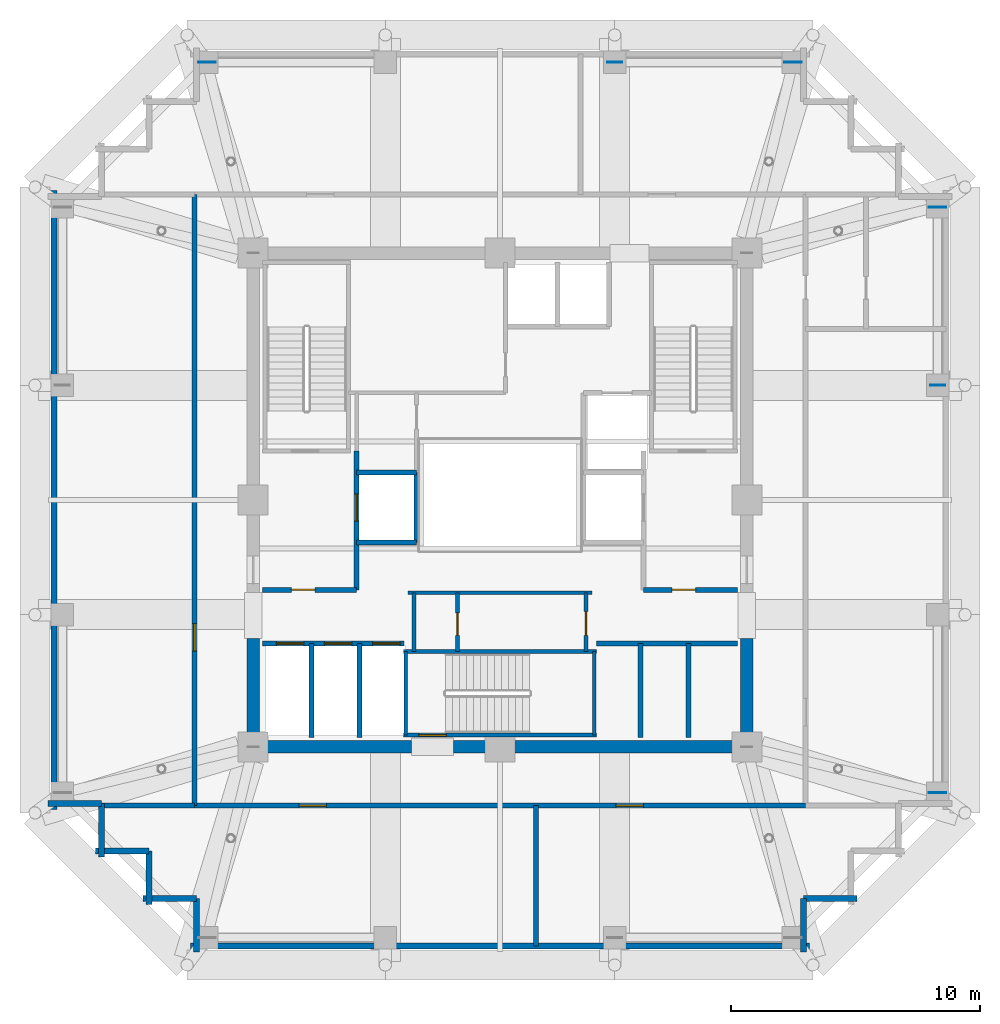
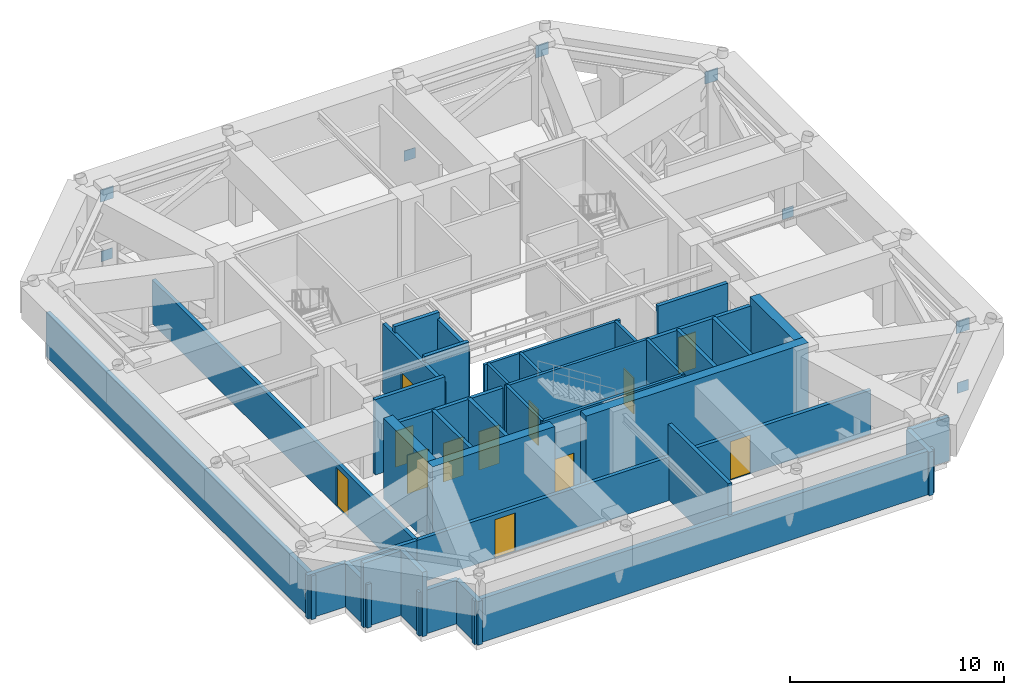
# One storey, part 9 of 12: 38 walls, 12 doors, 8 plates, 12 openings.
"""IFC4 building model written with IfcOpenShell, lengths in metres."""

from ifc_helpers import new_model, si_unit, direction, frame, frame_2d, origin, origin_2d, place, context, subcontext, project, spatial, rectangle, extrude, material, layer, layer_set, type_object, element, fill, save


model = new_model("IFC4")

# Units and contexts
model_context = context("Model", 3, precision=1e-05, world=origin(), true_north=direction((0.0, 1.0)))
body_context = subcontext(model_context, "Body", "Model", "MODEL_VIEW")
ifc_project = project(units=[si_unit("LENGTHUNIT", "METRE"), si_unit("AREAUNIT", "SQUARE_METRE"), si_unit("VOLUMEUNIT", "CUBIC_METRE"), si_unit("PLANEANGLEUNIT", "RADIAN"), si_unit("MASSUNIT", "GRAM", prefix="KILO")], contexts=[model_context])

# Site, building, storey
site_placement = place(None, origin())
site = spatial("IfcSite", under=ifc_project, at=site_placement, CompositionType="ELEMENT")
building_placement = place(site_placement, origin())
building = spatial("IfcBuilding", under=site, at=building_placement, Name="Kolvaren Belvedere", CompositionType="ELEMENT")
storey_placement = place(building_placement, frame((0.0, 0.0, 148.10009765625)))
storey = spatial("IfcBuildingStorey", under=building, at=storey_placement, Name="L43", CompositionType="ELEMENT", Elevation=148.10009765625)

# Plates
ifc_material_1 = material(Name="Structural steel ASTM A572 Grade 50", Category="steel")
ifc_layer_1 = layer(ifc_material_1, 0.031982421875)
ifc_layer_set_1 = layer_set([ifc_layer_1], Name="Structural steel ASTM A572 Grade 50")
plate_type_1 = type_object("IfcPlateType", Name="PL-GUSSET-32", PredefinedType="USERDEFINED", material=ifc_layer_set_1)
for number, where, z_axis, x_axis, name in (
    (1, (-11.75, 17.550048828125, 0.179931640625), (0.0, 0.0, 1.0), (1.0, 0.0, 0.0), "L43 Belt Truss Node Gusset BN-3"),
    (2, (4.60009765625, 17.550048828125, 0.179931640625), (0.0, 0.0, 1.0), (1.0, 0.0, 0.0), "L43 Belt Truss Node Gusset BN-4"),
    (3, (17.550048828125, -11.75, 0.179931640625), (0.0, 0.0, 1.0), (1.0, 0.0, 0.0), "L43 Belt Truss Node Gusset BN-7"),
    (4, (17.550048828125, 4.60009765625, 0.179931640625), (0.0, 0.0, 1.0), (1.0, 0.0, 0.0), "L43 Belt Truss Node Gusset BN-8"),
):
    element("IfcPlate", number, at=place(storey_placement, frame(where, z_axis=z_axis, x_axis=x_axis)), inside=storey, type_object=plate_type_1, Name=name, ObjectType="GUSSET PLATE", PredefinedType="USERDEFINED", context=body_context, shape_type="SweptSolid", body=[
        extrude(rectangle(XDim=0.60009765625, YDim=0.031982421875, at=origin_2d()), origin(), (0.0, 0.0, 1.0), 0.60009765625),
    ])
ifc_material_2 = material(Name="Structural steel ASTM A572 Grade 50", Category="steel")
ifc_layer_2 = layer(ifc_material_2, 0.0400390625)
ifc_layer_set_2 = layer_set([ifc_layer_2], Name="Structural steel ASTM A572 Grade 50")
plate_type_2 = type_object("IfcPlateType", Name="PL-GUSSET-40", PredefinedType="USERDEFINED", material=ifc_layer_set_2)
for number, where, z_axis, x_axis, name in (
    (5, (17.550048828125, -11.75, 3.60009765625), (0.0, 0.0, 1.0), (1.0, 0.0, 0.0), "L43 Outrigger Truss Node Gusset ON-4"),
    (6, (11.75, 17.550048828125, 3.60009765625), (0.0, 0.0, 1.0), (1.0, 0.0, 0.0), "L43 Outrigger Truss Node Gusset ON-5"),
    (7, (17.550048828125, 11.75, 3.60009765625), (0.0, 0.0, 1.0), (1.0, 0.0, 0.0), "L43 Outrigger Truss Node Gusset ON-6"),
    (8, (-11.75, 17.550048828125, 3.60009765625), (0.0, 0.0, 1.0), (1.0, 0.0, 0.0), "L43 Outrigger Truss Node Gusset ON-7"),
):
    element("IfcPlate", number, at=place(storey_placement, frame(where, z_axis=z_axis, x_axis=x_axis)), inside=storey, type_object=plate_type_2, Name=name, ObjectType="GUSSET PLATE", PredefinedType="USERDEFINED", context=body_context, shape_type="SweptSolid", body=[
        extrude(rectangle(XDim=0.699951171875, YDim=0.0400390625, at=origin_2d()), origin(), (0.0, 0.0, 1.0), 0.699951171875),
    ])

# Walls
ifc_material_3 = material(Name="Concrete C50/60", Category="concrete")
ifc_layer_3 = layer(ifc_material_3, 0.5)
ifc_layer_set_3 = layer_set([ifc_layer_3], Name="Concrete C50/60")
wall_type_1 = type_object("IfcWallType", Name="CW-CORE-500", PredefinedType="SHEAR", material=ifc_layer_set_3)
wall_1_placement = place(storey_placement, frame((10.14990234375, -9.89990234375, 0.0), z_axis=(0.0, 0.0, 1.0), x_axis=(-1.0, 0.0, 0.0)))
element("IfcWall", 9, at=wall_1_placement, inside=storey, type_object=wall_type_1, Name="L43 South Core Shear Wall 1", PredefinedType="SHEAR", context=body_context, shape_type="SweptSolid", body=[
    extrude(rectangle(XDim=12.010009765625, YDim=0.5, at=frame_2d((6.0048828125, 0.0))), origin(), (0.0, 0.0, 1.0), 4.599853515625),
])
wall_2_placement = place(storey_placement, frame((-3.5400390625, -9.89990234375, 0.0), z_axis=(0.0, 0.0, 1.0), x_axis=(-1.0, 0.0, 0.0)))
element("IfcWall", 10, at=wall_2_placement, inside=storey, type_object=wall_type_1, Name="L43 South Core Shear Wall 2", PredefinedType="SHEAR", context=body_context, shape_type="SweptSolid", body=[
    extrude(rectangle(XDim=6.60986328125, YDim=0.5, at=frame_2d((3.304931640625, 0.0))), origin(), (0.0, 0.0, 1.0), 4.599853515625),
])
for number, where, z_axis, x_axis, name in (
    (11, (-9.89990234375, -9.64990234375, 0.0), (0.0, 0.0, 1.0), (0.0, 1.0, 0.0), "L43 West Core Shear Wall 1"),
    (12, (9.89990234375, -9.64990234375, 0.0), (0.0, 0.0, 1.0), (0.0, 1.0, 0.0), "L43 East Core Shear Wall 1"),
):
    element("IfcWall", number, at=place(storey_placement, frame(where, z_axis=z_axis, x_axis=x_axis)), inside=storey, type_object=wall_type_1, Name=name, PredefinedType="SHEAR", context=body_context, shape_type="SweptSolid", body=[
        extrude(rectangle(XDim=4.099853515625, YDim=0.5, at=frame_2d((2.0498046875, 0.0))), origin(), (0.0, 0.0, 1.0), 4.599853515625),
    ])

# Wall, opening, door
ifc_material_4 = material(Name="Concrete C50/60", Category="concrete")
ifc_layer_4 = layer(ifc_material_4, 0.159912109375)
ifc_layer_set_4 = layer_set([ifc_layer_4], Name="Concrete C50/60")
wall_type_2 = type_object("IfcWallType", Name="CW-STAIR-160", PredefinedType="SHEAR", material=ifc_layer_set_4)
wall_3_placement = place(storey_placement, frame((3.860107421875, -9.429931640625, 0.0), z_axis=(0.0, 0.0, 1.0), x_axis=(-1.0, 0.0, 0.0)))
wall_3 = element("IfcWall", 13, at=wall_3_placement, inside=storey, type_object=wall_type_2, Name="L43 Stair ST-3 South Shear Wall", PredefinedType="SHEAR", context=body_context, shape_type="SweptSolid", body=[
    extrude(rectangle(XDim=7.72021484375, YDim=0.159912109375, at=frame_2d((3.860107421875, 0.0))), origin(), (0.0, 0.0, 1.0), 4.599853515625),
])
opening_1_placement = place(wall_3_placement, frame((6.010009765625, 0.0, 0.0)))
opening_1 = element("IfcOpeningElement", 14, at=opening_1_placement, cuts=wall_3, Name="Opening D-FD90", PredefinedType="OPENING", context=body_context, shape_type="SweptSolid", body=[
    extrude(rectangle(XDim=1.10009765625, YDim=2.199951171875, at=frame_2d((0.550048828125, 1.10009765625))), frame((0.0, 0.08984375, 0.0), z_axis=(0.0, -1.0, 0.0), x_axis=(1.0, 0.0, 0.0)), (0.0, 0.0, 1.0), 0.179931640625),
])
ifc_material_5 = material(Name="Painted hollow stainless steel", Category="steel")
door_type_1 = type_object("IfcDoorType", Name="DR-FD90-1100", OperationType="NOTDEFINED", PredefinedType="DOOR", material=ifc_material_5)
door_1_placement = place(opening_1_placement, origin())
door_1 = element("IfcDoor", 15, at=door_1_placement, inside=storey, type_object=door_type_1, Name="L43 Stair ST-3 Exit Door", OperationType="SINGLE_SWING_RIGHT", OverallHeight=2.199951171875, OverallWidth=1.10009765625, PredefinedType="DOOR", context=body_context, shape_type="SweptSolid", body=[
    extrude(rectangle(XDim=1.10009765625, YDim=2.199951171875, at=frame_2d((0.550048828125, 1.10009765625))), frame((0.0, 0.02490234375, 0.0), z_axis=(0.0, -1.0, 0.0), x_axis=(1.0, 0.0, 0.0)), (0.0, 0.0, 1.0), 0.050048828125),
])
fill(opening_1, door_1)

# Walls
wall_4_placement = place(storey_placement, frame((-3.860107421875, -6.080078125, 0.0), z_axis=(0.0, 0.0, 1.0), x_axis=(1.0, 0.0, 0.0)))
element("IfcWall", 16, at=wall_4_placement, inside=storey, type_object=wall_type_2, Name="L43 Stair ST-3 North Shear Wall", PredefinedType="SHEAR", context=body_context, shape_type="SweptSolid", body=[
    extrude(rectangle(XDim=7.72021484375, YDim=0.159912109375, at=frame_2d((3.860107421875, 0.0))), origin(), (0.0, 0.0, 1.0), 4.599853515625),
])
for number, where, z_axis, x_axis, name in (
    (17, (-3.780029296875, -9.429931640625, 0.0), (0.0, 0.0, 1.0), (0.0, 1.0, 0.0), "L43 Stair ST-3 West Shear Wall"),
    (18, (3.780029296875, -9.429931640625, 0.0), (0.0, 0.0, 1.0), (0.0, 1.0, 0.0), "L43 Stair ST-3 East Shear Wall"),
):
    element("IfcWall", number, at=place(storey_placement, frame(where, z_axis=z_axis, x_axis=x_axis)), inside=storey, type_object=wall_type_2, Name=name, PredefinedType="SHEAR", context=body_context, shape_type="SweptSolid", body=[
        extrude(rectangle(XDim=3.349853515625, YDim=0.159912109375, at=frame_2d((1.6748046875, 0.0))), origin(), (0.0, 0.0, 1.0), 4.599853515625),
    ])
ifc_material_6 = material(Name="Insulated acoustic pale-metal louvre wall", Category="aluminium")
ifc_layer_5 = layer(ifc_material_6, 0.239990234375)
ifc_layer_set_5 = layer_set([ifc_layer_5], Name="Insulated acoustic pale-metal louvre wall")
wall_type_3 = type_object("IfcWallType", Name="WL-LOUV-240", PredefinedType="STANDARD", material=ifc_layer_set_5)
wall_5_placement = place(storey_placement, frame((12.419921875, -17.8798828125, 0.0), z_axis=(0.0, 0.0, 1.0), x_axis=(-1.0, 0.0, 0.0)))
element("IfcWall", 19, at=wall_5_placement, inside=storey, type_object=wall_type_3, Name="L43 Acoustic Louvre Facade Wall 1", PredefinedType="STANDARD", context=body_context, shape_type="SweptSolid", body=[
    extrude(rectangle(XDim=24.83984375, YDim=0.239990234375, at=frame_2d((12.419921875, 0.0))), origin(), (0.0, 0.0, 1.0), 2.494873046875),
])
for number, where, z_axis, x_axis, name in (
    (20, (12.179931640625, -15.97998046875, 0.0), (0.0, 0.0, 1.0), (0.0, -1.0, 0.0), "L43 Acoustic Louvre Facade Wall 2"),
    (21, (14.320068359375, -15.97998046875, 0.0), (0.0, 0.0, 1.0), (-1.0, 0.0, 0.0), "L43 Acoustic Louvre Facade Wall 3"),
):
    element("IfcWall", number, at=place(storey_placement, frame(where, z_axis=z_axis, x_axis=x_axis)), inside=storey, type_object=wall_type_3, Name=name, PredefinedType="STANDARD", context=body_context, shape_type="SweptSolid", body=[
        extrude(rectangle(XDim=2.14013671875, YDim=0.239990234375, at=frame_2d((1.070068359375, 0.0))), origin(), (0.0, 0.0, 1.0), 2.494873046875),
    ])
wall_6_placement = place(storey_placement, frame((-17.8798828125, -12.419921875, 0.0), z_axis=(0.0, 0.0, 1.0), x_axis=(0.0, 1.0, 0.0)))
element("IfcWall", 22, at=wall_6_placement, inside=storey, type_object=wall_type_3, Name="L43 Acoustic Louvre Facade Wall 22", PredefinedType="STANDARD", context=body_context, shape_type="SweptSolid", body=[
    extrude(rectangle(XDim=24.83984375, YDim=0.239990234375, at=frame_2d((12.419921875, 0.0))), origin(), (0.0, 0.0, 1.0), 2.494873046875),
])
for number, where, z_axis, x_axis, name in (
    (23, (-15.97998046875, -12.179931640625, 0.0), (0.0, 0.0, 1.0), (-1.0, 0.0, 0.0), "L43 Acoustic Louvre Facade Wall 23"),
    (24, (-15.97998046875, -14.320068359375, 0.0), (0.0, 0.0, 1.0), (0.0, 1.0, 0.0), "L43 Acoustic Louvre Facade Wall 24"),
):
    element("IfcWall", number, at=place(storey_placement, frame(where, z_axis=z_axis, x_axis=x_axis)), inside=storey, type_object=wall_type_3, Name=name, PredefinedType="STANDARD", context=body_context, shape_type="SweptSolid", body=[
        extrude(rectangle(XDim=2.14013671875, YDim=0.239990234375, at=frame_2d((1.070068359375, 0.0))), origin(), (0.0, 0.0, 1.0), 2.494873046875),
    ])
for number, where, z_axis, x_axis, name in (
    (25, (-14.080078125, -14.080078125, 0.0), (0.0, 0.0, 1.0), (-1.0, 0.0, 0.0), "L43 Acoustic Louvre Facade Wall 25"),
    (26, (-14.080078125, -16.219970703125, 0.0), (0.0, 0.0, 1.0), (0.0, 1.0, 0.0), "L43 Acoustic Louvre Facade Wall 26"),
):
    element("IfcWall", number, at=place(storey_placement, frame(where, z_axis=z_axis, x_axis=x_axis)), inside=storey, type_object=wall_type_3, Name=name, PredefinedType="STANDARD", context=body_context, shape_type="SweptSolid", body=[
        extrude(rectangle(XDim=2.139892578125, YDim=0.239990234375, at=frame_2d((1.06982421875, 0.0))), origin(), (0.0, 0.0, 1.0), 3.678955078125),
    ])
for number, where, z_axis, x_axis, name in (
    (27, (-12.179931640625, -15.97998046875, 0.0), (0.0, 0.0, 1.0), (-1.0, 0.0, 0.0), "L43 Acoustic Louvre Facade Wall 27"),
    (28, (-12.179931640625, -18.1201171875, 0.0), (0.0, 0.0, 1.0), (0.0, 1.0, 0.0), "L43 Acoustic Louvre Facade Wall 28"),
):
    element("IfcWall", number, at=place(storey_placement, frame(where, z_axis=z_axis, x_axis=x_axis)), inside=storey, type_object=wall_type_3, Name=name, PredefinedType="STANDARD", context=body_context, shape_type="SweptSolid", body=[
        extrude(rectangle(XDim=2.14013671875, YDim=0.239990234375, at=frame_2d((1.070068359375, 0.0))), origin(), (0.0, 0.0, 1.0), 2.494873046875),
    ])
ifc_material_7 = material(Name="Gypsum acoustic partition assembly", Category="gypsum")
ifc_layer_6 = layer(ifc_material_7, 0.14990234375)
ifc_layer_set_6 = layer_set([ifc_layer_6], Name="Gypsum acoustic partition assembly")
wall_type_4 = type_object("IfcWallType", Name="WL-PART-150", PredefinedType="PARTITIONING", material=ifc_layer_set_6)
wall_7_placement = place(storey_placement, frame((-3.679931640625, -3.719970703125, 0.0), z_axis=(0.0, 0.0, 1.0), x_axis=(1.0, 0.0, 0.0)))
element("IfcWall", 29, at=wall_7_placement, inside=storey, type_object=wall_type_4, Name="L43 South Core Service North Wall", PredefinedType="PARTITIONING", context=body_context, shape_type="SweptSolid", body=[
    extrude(rectangle(XDim=7.35986328125, YDim=0.14990234375, at=frame_2d((3.679931640625, 0.0))), origin(), (0.0, 0.0, 1.0), 4.2998046875),
])

# Wall, opening, door
wall_8_placement = place(storey_placement, frame((3.449951171875, -6.080078125, 0.0), z_axis=(0.0, 0.0, 1.0), x_axis=(0.0, 1.0, 0.0)))
wall_8 = element("IfcWall", 30, at=wall_8_placement, inside=storey, type_object=wall_type_4, Name="L43 South Core Service East Wall", PredefinedType="PARTITIONING", context=body_context, shape_type="SweptSolid", body=[
    extrude(rectangle(XDim=2.360107421875, YDim=0.14990234375, at=frame_2d((1.18017578125, 0.0))), origin(), (0.0, 0.0, 1.0), 4.2998046875),
])
opening_2_placement = place(wall_8_placement, frame((0.64990234375, 0.0, 0.0)))
opening_2 = element("IfcOpeningElement", 31, at=opening_2_placement, cuts=wall_8, Name="Opening D-FD60", PredefinedType="OPENING", context=body_context, shape_type="SweptSolid", body=[
    extrude(rectangle(XDim=0.949951171875, YDim=2.06005859375, at=frame_2d((0.47509765625, 1.030029296875))), frame((0.0, 0.0849609375, 0.0), z_axis=(0.0, -1.0, 0.0), x_axis=(1.0, 0.0, 0.0)), (0.0, 0.0, 1.0), 0.169921875),
])
ifc_material_8 = material(Name="Acoustic white-oak fire door leaf", Category="timber")
door_type_2 = type_object("IfcDoorType", Name="DR-FD60-950", OperationType="NOTDEFINED", PredefinedType="DOOR", material=ifc_material_8)
door_2_placement = place(opening_2_placement, origin())
door_2 = element("IfcDoor", 32, at=door_2_placement, inside=storey, type_object=door_type_2, Name="L43 Core Service Room Door", OperationType="SINGLE_SWING_LEFT", OverallHeight=2.06005859375, OverallWidth=0.949951171875, PredefinedType="DOOR", context=body_context, shape_type="SweptSolid", body=[
    extrude(rectangle(XDim=0.949951171875, YDim=2.06005859375, at=frame_2d((0.47509765625, 1.030029296875))), frame((0.0, 0.02490234375, 0.0), z_axis=(0.0, -1.0, 0.0), x_axis=(1.0, 0.0, 0.0)), (0.0, 0.0, 1.0), 0.050048828125),
])
fill(opening_2, door_2)

# Wall
wall_9_placement = place(storey_placement, frame((-3.449951171875, -6.080078125, 0.0), z_axis=(0.0, 0.0, 1.0), x_axis=(0.0, 1.0, 0.0)))
element("IfcWall", 33, at=wall_9_placement, inside=storey, type_object=wall_type_4, Name="L43 South Core Service West Wall", PredefinedType="PARTITIONING", context=body_context, shape_type="SweptSolid", body=[
    extrude(rectangle(XDim=2.360107421875, YDim=0.14990234375, at=frame_2d((1.18017578125, 0.0))), origin(), (0.0, 0.0, 1.0), 4.2998046875),
])

# Wall, opening, door
wall_10_placement = place(storey_placement, frame((-1.699951171875, -6.080078125, 0.0), z_axis=(0.0, 0.0, 1.0), x_axis=(0.0, 1.0, 0.0)))
wall_10 = element("IfcWall", 34, at=wall_10_placement, inside=storey, type_object=wall_type_4, Name="L43 Core Service Divider", PredefinedType="PARTITIONING", context=body_context, shape_type="SweptSolid", body=[
    extrude(rectangle(XDim=2.360107421875, YDim=0.14990234375, at=frame_2d((1.18017578125, 0.0))), origin(), (0.0, 0.0, 1.0), 4.2998046875),
])
opening_3_placement = place(wall_10_placement, frame((0.64990234375, 0.0, 0.0)))
opening_3 = element("IfcOpeningElement", 35, at=opening_3_placement, cuts=wall_10, Name="Opening D-INT90", PredefinedType="OPENING", context=body_context, shape_type="SweptSolid", body=[
    extrude(rectangle(XDim=0.89990234375, YDim=2.06005859375, at=frame_2d((0.449951171875, 1.030029296875))), frame((0.0, 0.0849609375, 0.0), z_axis=(0.0, -1.0, 0.0), x_axis=(1.0, 0.0, 0.0)), (0.0, 0.0, 1.0), 0.169921875),
])
ifc_material_9 = material(Name="Stained Pacific white oak", Category="timber")
door_type_3 = type_object("IfcDoorType", Name="DR-INT-900", OperationType="NOTDEFINED", PredefinedType="DOOR", material=ifc_material_9)
door_3_placement = place(opening_3_placement, origin())
door_3 = element("IfcDoor", 36, at=door_3_placement, inside=storey, type_object=door_type_3, Name="L43 Telecom Inner Door", OperationType="SINGLE_SWING_RIGHT", OverallHeight=2.06005859375, OverallWidth=0.89990234375, PredefinedType="DOOR", context=body_context, shape_type="SweptSolid", body=[
    extrude(rectangle(XDim=0.89990234375, YDim=2.06005859375, at=frame_2d((0.449951171875, 1.030029296875))), frame((0.0, 0.02490234375, 0.0), z_axis=(0.0, -1.0, 0.0), x_axis=(1.0, 0.0, 0.0)), (0.0, 0.0, 1.0), 0.050048828125),
])
fill(opening_3, door_3)

ifc_material_10 = material(Name="Concrete C50/60", Category="concrete")
ifc_layer_7 = layer(ifc_material_10, 0.199951171875)
ifc_layer_set_7 = layer_set([ifc_layer_7], Name="Concrete C50/60")
wall_type_5 = type_object("IfcWallType", Name="WL-SHAFT-200", PredefinedType="SOLIDWALL", material=ifc_layer_set_7)
wall_11_placement = place(storey_placement, frame((-9.52001953125, -3.60009765625, 0.0), z_axis=(0.0, 0.0, 1.0), x_axis=(1.0, 0.0, 0.0)))
wall_11 = element("IfcWall", 37, at=wall_11_placement, inside=storey, type_object=wall_type_5, Name="L43 West FSAE Lobby South Wall", PredefinedType="SOLIDWALL", context=body_context, shape_type="SweptSolid", body=[
    extrude(rectangle(XDim=3.77001953125, YDim=0.199951171875, at=frame_2d((1.885009765625, 0.0))), origin(), (0.0, 0.0, 1.0), 4.2998046875),
])
opening_4_placement = place(wall_11_placement, frame((1.14990234375, 0.0, 0.0)))
opening_4 = element("IfcOpeningElement", 38, at=opening_4_placement, cuts=wall_11, Name="Opening D-FD60", PredefinedType="OPENING", context=body_context, shape_type="SweptSolid", body=[
    extrude(rectangle(XDim=0.949951171875, YDim=2.06005859375, at=frame_2d((0.47509765625, 1.030029296875))), frame((0.0, 0.10986328125, 0.0), z_axis=(0.0, -1.0, 0.0), x_axis=(1.0, 0.0, 0.0)), (0.0, 0.0, 1.0), 0.219970703125),
])
door_4_placement = place(opening_4_placement, origin())
door_4 = element("IfcDoor", 39, at=door_4_placement, inside=storey, type_object=door_type_2, Name="L43 Mid-Rise Lift Lobby Fire Door", OperationType="SINGLE_SWING_LEFT", OverallHeight=2.06005859375, OverallWidth=0.949951171875, PredefinedType="DOOR", context=body_context, shape_type="SweptSolid", body=[
    extrude(rectangle(XDim=0.949951171875, YDim=2.06005859375, at=frame_2d((0.47509765625, 1.030029296875))), frame((0.0, 0.02490234375, 0.0), z_axis=(0.0, -1.0, 0.0), x_axis=(1.0, 0.0, 0.0)), (0.0, 0.0, 1.0), 0.050048828125),
])
fill(opening_4, door_4)

wall_12_placement = place(storey_placement, frame((-5.75, -3.60009765625, 0.0), z_axis=(0.0, 0.0, 1.0), x_axis=(0.0, 1.0, 0.0)))
wall_12 = element("IfcWall", 40, at=wall_12_placement, inside=storey, type_object=wall_type_5, Name="L43 FSAE FS1 Landing Wall", PredefinedType="SOLIDWALL", context=body_context, shape_type="SweptSolid", body=[
    extrude(rectangle(XDim=5.570068359375, YDim=0.199951171875, at=frame_2d((2.78515625, 0.0))), origin(), (0.0, 0.0, 1.0), 3.934814453125),
])
opening_5_placement = place(wall_12_placement, frame((2.75, 0.0, 0.0)))
opening_5 = element("IfcOpeningElement", 41, at=opening_5_placement, cuts=wall_12, Name="Opening LD-11", PredefinedType="OPENING", context=body_context, shape_type="SweptSolid", body=[
    extrude(rectangle(XDim=1.10009765625, YDim=2.199951171875, at=frame_2d((0.550048828125, 1.10009765625))), frame((0.0, 0.10986328125, 0.0), z_axis=(0.0, -1.0, 0.0), x_axis=(1.0, 0.0, 0.0)), (0.0, 0.0, 1.0), 0.219970703125),
])
ifc_material_11 = material(Name="Brushed stainless steel", Category="steel")
door_type_4 = type_object("IfcDoorType", Name="DR-LIFT-1100", OperationType="DOUBLE_DOOR_SLIDING", PredefinedType="DOOR", material=ifc_material_11)
door_5_placement = place(opening_5_placement, origin())
door_5 = element("IfcDoor", 42, at=door_5_placement, inside=storey, type_object=door_type_4, Name="L43 Firefighting Lift FS1 Landing Door", OperationType="DOUBLE_DOOR_SLIDING", OverallHeight=2.199951171875, OverallWidth=1.10009765625, PredefinedType="DOOR", context=body_context, shape_type="SweptSolid", body=[
    extrude(rectangle(XDim=1.10009765625, YDim=2.199951171875, at=frame_2d((0.550048828125, 1.10009765625))), frame((0.0, 0.02490234375, 0.0), z_axis=(0.0, -1.0, 0.0), x_axis=(1.0, 0.0, 0.0)), (0.0, 0.0, 1.0), 0.050048828125),
])
fill(opening_5, door_5)

# Walls
wall_13_placement = place(storey_placement, frame((-3.35009765625, -1.699951171875, 0.0), z_axis=(0.0, 0.0, 1.0), x_axis=(0.0, 1.0, 0.0)))
element("IfcWall", 43, at=wall_13_placement, inside=storey, type_object=wall_type_5, Name="L43 FSAE FS1 Back Wall", PredefinedType="SOLIDWALL", context=body_context, shape_type="SweptSolid", body=[
    extrude(rectangle(XDim=2.800048828125, YDim=0.199951171875, at=frame_2d((1.39990234375, 0.0))), origin(), (0.0, 0.0, 1.0), 3.934814453125),
])
for number, where, z_axis, x_axis, name in (
    (44, (-5.75, -1.699951171875, 0.0), (0.0, 0.0, 1.0), (1.0, 0.0, 0.0), "L43 FSAE FS1 South Wall"),
    (45, (-5.75, 1.10009765625, 0.0), (0.0, 0.0, 1.0), (1.0, 0.0, 0.0), "L43 FSAE FS1 North Wall"),
):
    element("IfcWall", number, at=place(storey_placement, frame(where, z_axis=z_axis, x_axis=x_axis)), inside=storey, type_object=wall_type_5, Name=name, PredefinedType="SOLIDWALL", context=body_context, shape_type="SweptSolid", body=[
        extrude(rectangle(XDim=2.39990234375, YDim=0.199951171875, at=frame_2d((1.199951171875, 0.0))), origin(), (0.0, 0.0, 1.0), 4.2998046875),
    ])

# Wall, opening, door
wall_14_placement = place(storey_placement, frame((5.75, -3.60009765625, 0.0), z_axis=(0.0, 0.0, 1.0), x_axis=(1.0, 0.0, 0.0)))
wall_14 = element("IfcWall", 46, at=wall_14_placement, inside=storey, type_object=wall_type_5, Name="L43 East FSAE Lobby South Wall", PredefinedType="SOLIDWALL", context=body_context, shape_type="SweptSolid", body=[
    extrude(rectangle(XDim=3.77001953125, YDim=0.199951171875, at=frame_2d((1.885009765625, 0.0))), origin(), (0.0, 0.0, 1.0), 4.2998046875),
])
opening_6_placement = place(wall_14_placement, frame((1.14990234375, 0.0, 0.0)))
opening_6 = element("IfcOpeningElement", 47, at=opening_6_placement, cuts=wall_14, Name="Opening D-FD60", PredefinedType="OPENING", context=body_context, shape_type="SweptSolid", body=[
    extrude(rectangle(XDim=0.949951171875, YDim=2.06005859375, at=frame_2d((0.47509765625, 1.030029296875))), frame((0.0, 0.10986328125, 0.0), z_axis=(0.0, -1.0, 0.0), x_axis=(1.0, 0.0, 0.0)), (0.0, 0.0, 1.0), 0.219970703125),
])
door_6_placement = place(opening_6_placement, origin())
door_6 = element("IfcDoor", 48, at=door_6_placement, inside=storey, type_object=door_type_2, Name="L43 SE Lift Lobby Fire Door", OperationType="SINGLE_SWING_RIGHT", OverallHeight=2.06005859375, OverallWidth=0.949951171875, PredefinedType="DOOR", context=body_context, shape_type="SweptSolid", body=[
    extrude(rectangle(XDim=0.949951171875, YDim=2.06005859375, at=frame_2d((0.47509765625, 1.030029296875))), frame((0.0, 0.02490234375, 0.0), z_axis=(0.0, -1.0, 0.0), x_axis=(1.0, 0.0, 0.0)), (0.0, 0.0, 1.0), 0.050048828125),
])
fill(opening_6, door_6)

# Wall, openings, doors
wall_15_placement = place(storey_placement, frame((-9.52001953125, -5.75, 0.0), z_axis=(0.0, 0.0, 1.0), x_axis=(1.0, 0.0, 0.0)))
wall_15 = element("IfcWall", 49, at=wall_15_placement, inside=storey, type_object=wall_type_5, Name="L43 Mid-Rise Lift Bank Front Wall", PredefinedType="SOLIDWALL", context=body_context, shape_type="SweptSolid", body=[
    extrude(rectangle(XDim=5.659912109375, YDim=0.199951171875, at=frame_2d((2.830078125, 0.0))), origin(), (0.0, 0.0, 1.0), 4.2998046875),
])
opening_7_placement = place(wall_15_placement, frame((0.550048828125, 0.0, 0.0)))
opening_7 = element("IfcOpeningElement", 50, at=opening_7_placement, cuts=wall_15, Name="Opening LD-11", PredefinedType="OPENING", context=body_context, shape_type="SweptSolid", body=[
    extrude(rectangle(XDim=1.10009765625, YDim=2.199951171875, at=frame_2d((0.550048828125, 1.10009765625))), frame((0.0, 0.10986328125, 0.0), z_axis=(0.0, -1.0, 0.0), x_axis=(1.0, 0.0, 0.0)), (0.0, 0.0, 1.0), 0.219970703125),
])
opening_8_placement = place(wall_15_placement, frame((2.47998046875, 0.0, 0.0)))
opening_8 = element("IfcOpeningElement", 51, at=opening_8_placement, cuts=wall_15, Name="Opening LD-11", PredefinedType="OPENING", context=body_context, shape_type="SweptSolid", body=[
    extrude(rectangle(XDim=1.10009765625, YDim=2.199951171875, at=frame_2d((0.550048828125, 1.10009765625))), frame((0.0, 0.10986328125, 0.0), z_axis=(0.0, -1.0, 0.0), x_axis=(1.0, 0.0, 0.0)), (0.0, 0.0, 1.0), 0.219970703125),
])
opening_9_placement = place(wall_15_placement, frame((4.409912109375, 0.0, 0.0)))
opening_9 = element("IfcOpeningElement", 52, at=opening_9_placement, cuts=wall_15, Name="Opening LD-11", PredefinedType="OPENING", context=body_context, shape_type="SweptSolid", body=[
    extrude(rectangle(XDim=1.10009765625, YDim=2.199951171875, at=frame_2d((0.550048828125, 1.10009765625))), frame((0.0, 0.10986328125, 0.0), z_axis=(0.0, -1.0, 0.0), x_axis=(1.0, 0.0, 0.0)), (0.0, 0.0, 1.0), 0.219970703125),
])
door_7_placement = place(opening_7_placement, origin())
door_7 = element("IfcDoor", 53, at=door_7_placement, inside=storey, type_object=door_type_4, Name="L43 Passenger Lift P4 Landing Door", OperationType="DOUBLE_DOOR_SLIDING", OverallHeight=2.199951171875, OverallWidth=1.10009765625, PredefinedType="DOOR", context=body_context, shape_type="SweptSolid", body=[
    extrude(rectangle(XDim=1.10009765625, YDim=2.199951171875, at=frame_2d((0.550048828125, 1.10009765625))), frame((0.0, 0.02490234375, 0.0), z_axis=(0.0, -1.0, 0.0), x_axis=(1.0, 0.0, 0.0)), (0.0, 0.0, 1.0), 0.050048828125),
])
fill(opening_7, door_7)
door_8_placement = place(opening_8_placement, origin())
door_8 = element("IfcDoor", 54, at=door_8_placement, inside=storey, type_object=door_type_4, Name="L43 Passenger Lift P5 Landing Door", OperationType="DOUBLE_DOOR_SLIDING", OverallHeight=2.199951171875, OverallWidth=1.10009765625, PredefinedType="DOOR", context=body_context, shape_type="SweptSolid", body=[
    extrude(rectangle(XDim=1.10009765625, YDim=2.199951171875, at=frame_2d((0.550048828125, 1.10009765625))), frame((0.0, 0.02490234375, 0.0), z_axis=(0.0, -1.0, 0.0), x_axis=(1.0, 0.0, 0.0)), (0.0, 0.0, 1.0), 0.050048828125),
])
fill(opening_8, door_8)
door_9_placement = place(opening_9_placement, origin())
door_9 = element("IfcDoor", 55, at=door_9_placement, inside=storey, type_object=door_type_4, Name="L43 Passenger Lift P6 Landing Door", OperationType="DOUBLE_DOOR_SLIDING", OverallHeight=2.199951171875, OverallWidth=1.10009765625, PredefinedType="DOOR", context=body_context, shape_type="SweptSolid", body=[
    extrude(rectangle(XDim=1.10009765625, YDim=2.199951171875, at=frame_2d((0.550048828125, 1.10009765625))), frame((0.0, 0.02490234375, 0.0), z_axis=(0.0, -1.0, 0.0), x_axis=(1.0, 0.0, 0.0)), (0.0, 0.0, 1.0), 0.050048828125),
])
fill(opening_9, door_9)

# Walls
for number, where, z_axis, x_axis, name in (
    (56, (-7.56005859375, -9.52001953125, 0.0), (0.0, 0.0, 1.0), (0.0, 1.0, 0.0), "L43 Mid-Rise Hoistway Divider 1"),
    (57, (-5.6298828125, -9.52001953125, 0.0), (0.0, 0.0, 1.0), (0.0, 1.0, 0.0), "L43 Mid-Rise Hoistway Divider 2"),
):
    element("IfcWall", number, at=place(storey_placement, frame(where, z_axis=z_axis, x_axis=x_axis)), inside=storey, type_object=wall_type_5, Name=name, PredefinedType="SOLIDWALL", context=body_context, shape_type="SweptSolid", body=[
        extrude(rectangle(XDim=3.77001953125, YDim=0.199951171875, at=frame_2d((1.885009765625, 0.0))), origin(), (0.0, 0.0, 1.0), 4.2998046875),
    ])
wall_16_placement = place(storey_placement, frame((3.860107421875, -5.75, 0.0), z_axis=(0.0, 0.0, 1.0), x_axis=(1.0, 0.0, 0.0)))
element("IfcWall", 58, at=wall_16_placement, inside=storey, type_object=wall_type_5, Name="L43 High-Rise Lift Bank Front Wall", PredefinedType="SOLIDWALL", context=body_context, shape_type="SweptSolid", body=[
    extrude(rectangle(XDim=5.659912109375, YDim=0.199951171875, at=frame_2d((2.830078125, 0.0))), origin(), (0.0, 0.0, 1.0), 4.2998046875),
])
for number, where, z_axis, x_axis, name in (
    (59, (5.6298828125, -9.52001953125, 0.0), (0.0, 0.0, 1.0), (0.0, 1.0, 0.0), "L43 High-Rise Hoistway Divider 1"),
    (60, (7.56005859375, -9.52001953125, 0.0), (0.0, 0.0, 1.0), (0.0, 1.0, 0.0), "L43 High-Rise Hoistway Divider 2"),
):
    element("IfcWall", number, at=place(storey_placement, frame(where, z_axis=z_axis, x_axis=x_axis)), inside=storey, type_object=wall_type_5, Name=name, PredefinedType="SOLIDWALL", context=body_context, shape_type="SweptSolid", body=[
        extrude(rectangle(XDim=3.77001953125, YDim=0.199951171875, at=frame_2d((1.885009765625, 0.0))), origin(), (0.0, 0.0, 1.0), 4.2998046875),
    ])

# Wall, openings, doors
wall_17_placement = place(storey_placement, frame((-12.260009765625, -12.260009765625, 0.0), z_axis=(0.0, 0.0, 1.0), x_axis=(1.0, 0.0, 0.0)))
wall_17 = element("IfcWall", 61, at=wall_17_placement, inside=storey, type_object=wall_type_5, Name="L43 South Corridor Wall", PredefinedType="SOLIDWALL", context=body_context, shape_type="SweptSolid", body=[
    extrude(rectangle(XDim=24.52001953125, YDim=0.199951171875, at=frame_2d((12.260009765625, 0.0))), origin(), (0.0, 0.0, 1.0), 2.48486328125),
])
opening_10_placement = place(wall_17_placement, frame((4.199951171875, 0.0, 0.0)))
opening_10 = element("IfcOpeningElement", 62, at=opening_10_placement, cuts=wall_17, Name="Opening D-FD90", PredefinedType="OPENING", context=body_context, shape_type="SweptSolid", body=[
    extrude(rectangle(XDim=1.10009765625, YDim=2.199951171875, at=frame_2d((0.550048828125, 1.10009765625))), frame((0.0, 0.10986328125, 0.0), z_axis=(0.0, -1.0, 0.0), x_axis=(1.0, 0.0, 0.0)), (0.0, 0.0, 1.0), 0.219970703125),
])
opening_11_placement = place(wall_17_placement, frame((16.909912109375, 0.0, 0.0)))
opening_11 = element("IfcOpeningElement", 63, at=opening_11_placement, cuts=wall_17, Name="Opening D-FD90", PredefinedType="OPENING", context=body_context, shape_type="SweptSolid", body=[
    extrude(rectangle(XDim=1.10009765625, YDim=2.199951171875, at=frame_2d((0.550048828125, 1.10009765625))), frame((0.0, 0.10986328125, 0.0), z_axis=(0.0, -1.0, 0.0), x_axis=(1.0, 0.0, 0.0)), (0.0, 0.0, 1.0), 0.219970703125),
])
door_10_placement = place(opening_10_placement, origin())
door_10 = element("IfcDoor", 64, at=door_10_placement, inside=storey, type_object=door_type_1, Name="L43 Primary AHU Mechanical Plant Door", OperationType="SINGLE_SWING_LEFT", OverallHeight=2.199951171875, OverallWidth=1.10009765625, PredefinedType="DOOR", context=body_context, shape_type="SweptSolid", body=[
    extrude(rectangle(XDim=1.10009765625, YDim=2.199951171875, at=frame_2d((0.550048828125, 1.10009765625))), frame((0.0, 0.02490234375, 0.0), z_axis=(0.0, -1.0, 0.0), x_axis=(1.0, 0.0, 0.0)), (0.0, 0.0, 1.0), 0.050048828125),
])
fill(opening_10, door_10)
door_11_placement = place(opening_11_placement, origin())
door_11 = element("IfcDoor", 65, at=door_11_placement, inside=storey, type_object=door_type_1, Name="L43 Chilled-Water Exchanger Mechanical Plant Door", OperationType="SINGLE_SWING_RIGHT", OverallHeight=2.199951171875, OverallWidth=1.10009765625, PredefinedType="DOOR", context=body_context, shape_type="SweptSolid", body=[
    extrude(rectangle(XDim=1.10009765625, YDim=2.199951171875, at=frame_2d((0.550048828125, 1.10009765625))), frame((0.0, 0.02490234375, 0.0), z_axis=(0.0, -1.0, 0.0), x_axis=(1.0, 0.0, 0.0)), (0.0, 0.0, 1.0), 0.050048828125),
])
fill(opening_11, door_11)

# Wall, opening, door
wall_18_placement = place(storey_placement, frame((-12.260009765625, -12.260009765625, 0.0), z_axis=(0.0, 0.0, 1.0), x_axis=(0.0, 1.0, 0.0)))
wall_18 = element("IfcWall", 66, at=wall_18_placement, inside=storey, type_object=wall_type_5, Name="L43 West Corridor Wall", PredefinedType="SOLIDWALL", context=body_context, shape_type="SweptSolid", body=[
    extrude(rectangle(XDim=24.52001953125, YDim=0.199951171875, at=frame_2d((12.260009765625, 0.0))), origin(), (0.0, 0.0, 1.0), 2.48486328125),
])
opening_12_placement = place(wall_18_placement, frame((6.199951171875, 0.0, 0.0)))
opening_12 = element("IfcOpeningElement", 67, at=opening_12_placement, cuts=wall_18, Name="Opening D-FD90", PredefinedType="OPENING", context=body_context, shape_type="SweptSolid", body=[
    extrude(rectangle(XDim=1.10009765625, YDim=2.199951171875, at=frame_2d((0.550048828125, 1.10009765625))), frame((0.0, 0.10986328125, 0.0), z_axis=(0.0, -1.0, 0.0), x_axis=(1.0, 0.0, 0.0)), (0.0, 0.0, 1.0), 0.219970703125),
])
door_12_placement = place(opening_12_placement, origin())
door_12 = element("IfcDoor", 68, at=door_12_placement, inside=storey, type_object=door_type_1, Name="L43 Pressurised Area of Refuge Door", OperationType="SINGLE_SWING_LEFT", OverallHeight=2.199951171875, OverallWidth=1.10009765625, PredefinedType="DOOR", context=body_context, shape_type="SweptSolid", body=[
    extrude(rectangle(XDim=1.10009765625, YDim=2.199951171875, at=frame_2d((0.550048828125, 1.10009765625))), frame((0.0, 0.02490234375, 0.0), z_axis=(0.0, -1.0, 0.0), x_axis=(1.0, 0.0, 0.0)), (0.0, 0.0, 1.0), 0.050048828125),
])
fill(opening_12, door_12)

# Walls
wall_19_placement = place(storey_placement, frame((-16.09619140625, -12.260009765625, 0.0), z_axis=(0.0, 0.0, 1.0), x_axis=(1.0, 0.0, 0.0)))
element("IfcWall", 69, at=wall_19_placement, inside=storey, type_object=wall_type_5, Name="L43 Sector Wall PW-L43-QSW", PredefinedType="SOLIDWALL", context=body_context, shape_type="SweptSolid", body=[
    extrude(rectangle(XDim=3.836181640625, YDim=0.199951171875, at=frame_2d((1.91796875, 0.0))), origin(), (0.0, 0.0, 1.0), 2.48486328125),
])
wall_20_placement = place(storey_placement, frame((1.449951171875, -17.8798828125, 0.0), z_axis=(0.0, 0.0, 1.0), x_axis=(0.0, 1.0, 0.0)))
element("IfcWall", 70, at=wall_20_placement, inside=storey, type_object=wall_type_5, Name="L43 South Plant Fire Wall", PredefinedType="SOLIDWALL", context=body_context, shape_type="SweptSolid", body=[
    extrude(rectangle(XDim=5.619873046875, YDim=0.199951171875, at=frame_2d((2.81005859375, 0.0))), origin(), (0.0, 0.0, 1.0), 4.2998046875),
])

save(model, "model.ifc")
